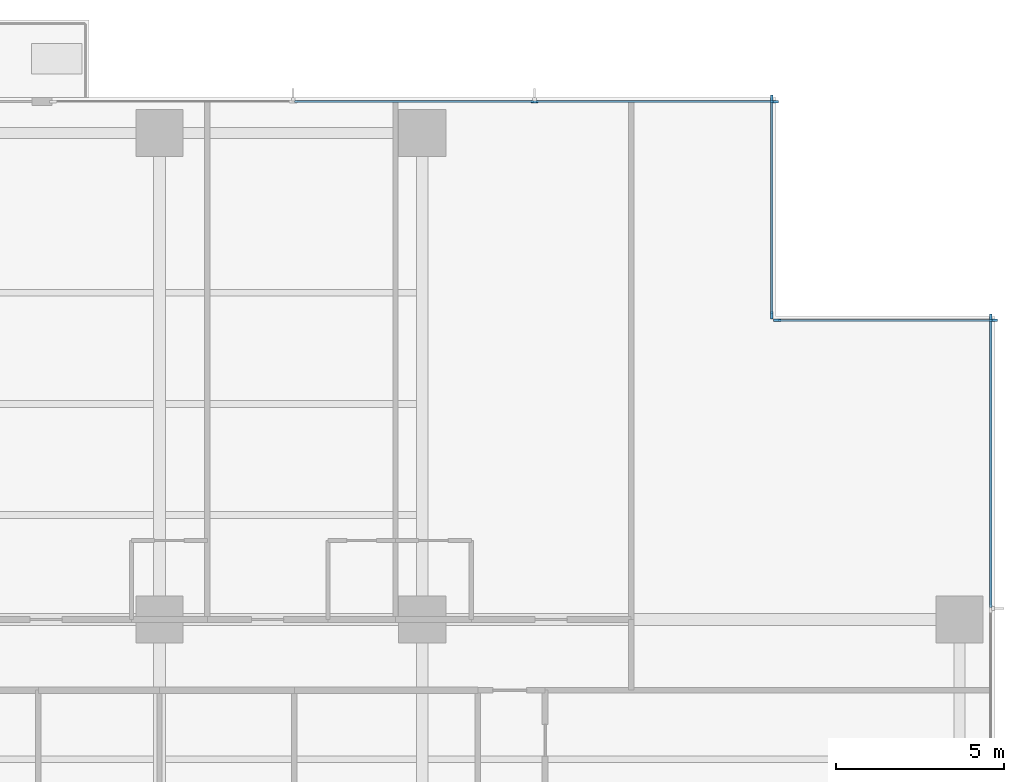
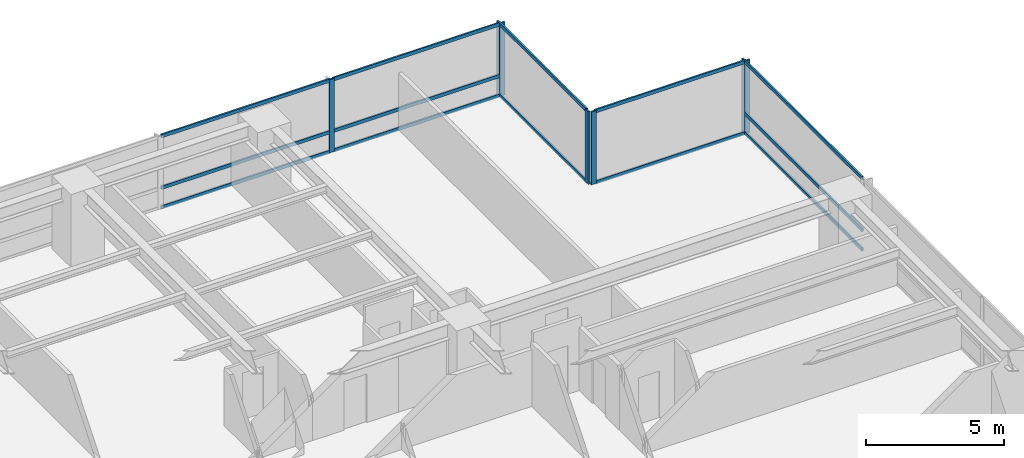
# One storey, part 5 of 17: 20 members, 4 elements without a shape of their own.
"""IFC4 building model written with IfcOpenShell, lengths in metres."""

from ifc_helpers import new_model, si_unit, direction, frame, origin, origin_2d, place, context, subcontext, project, spatial, rectangle, extrude, material, layer, layer_set, material_profile, profile_set, type_object, element, aggregate, save


model = new_model("IFC4")

# Units and contexts
model_context = context("Model", 3, precision=1e-05, world=origin(), true_north=direction((0.0, 1.0)))
body_context = subcontext(model_context, "Body", "Model", "MODEL_VIEW")
ifc_project = project(units=[si_unit("LENGTHUNIT", "METRE"), si_unit("AREAUNIT", "SQUARE_METRE"), si_unit("VOLUMEUNIT", "CUBIC_METRE"), si_unit("PLANEANGLEUNIT", "RADIAN"), si_unit("MASSUNIT", "GRAM", prefix="KILO")], contexts=[model_context])

# Site, building, storey
site_placement = place(None, origin())
site = spatial("IfcSite", under=ifc_project, at=site_placement, CompositionType="ELEMENT")
building_placement = place(site_placement, origin())
building = spatial("IfcBuilding", under=site, at=building_placement, Name="Qalmaran Belvedere Hotel", CompositionType="ELEMENT")
storey_placement = place(building_placement, frame((0.0, 0.0, 61.39990234375)))
storey = spatial("IfcBuildingStorey", under=building, at=storey_placement, Name="L15", CompositionType="ELEMENT", Elevation=61.39990234375)

# Curtain wall, member
ifc_material = material(Name="Anodised Bronze Aluminium", Category="aluminium")
ifc_layer = layer(ifc_material, 0.2099609375, Name="Anodised Bronze Aluminium")
ifc_layer_set = layer_set([ifc_layer], Name="Anodised Bronze Aluminium")
curtain_wall_type = type_object("IfcCurtainWallType", Name="CW2-TOWER-LOWER", PredefinedType="NOTDEFINED", material=ifc_layer_set)
curtain_wall_1_placement = place(storey_placement, origin())
curtain_wall_1 = element("IfcCurtainWall", 1, at=curtain_wall_1_placement, inside=storey, type_object=curtain_wall_type, Name="L15 Curtain Wall CW2", PredefinedType="NOTDEFINED")
ifc_material_profile_1 = material_profile(ifc_material, rectangle(XDim=0.074951171875, YDim=0.219970703125, at=origin_2d()), Name="CWM75X220")
ifc_profile_set_1 = profile_set([ifc_material_profile_1], Name="Anodised Bronze Aluminium")
member_type_1 = type_object("IfcMemberType", Name="CWM-75X220", PredefinedType="MULLION", material=ifc_profile_set_1)
member_1_placement = place(storey_placement, frame((61.679931640625, 41.96240234375, 0.0), z_axis=(0.0, 0.0, 1.0), x_axis=(-1.0, 0.0, 0.0)))
member_1 = element("IfcMember", 2, at=member_1_placement, type_object=member_type_1, Name="CW2 mullion 5", PredefinedType="MULLION", context=body_context, shape_type="SweptSolid", body=[
    extrude(rectangle(XDim=0.074951171875, YDim=0.219970703125, at=origin_2d()), origin(), (0.0, 0.0, 1.0), 3.22021484375),
])

# Curtain wall, members
curtain_wall_2_placement = place(storey_placement, origin())
curtain_wall_2 = element("IfcCurtainWall", 3, at=curtain_wall_2_placement, inside=storey, type_object=curtain_wall_type, Name="L15 Curtain Wall CW2", PredefinedType="NOTDEFINED")
member_2_placement = place(storey_placement, frame((61.762451171875, 41.8798828125, 0.0), z_axis=(0.0, 0.0, 1.0), x_axis=(0.0, -1.0, 0.0)))
member_2 = element("IfcMember", 4, at=member_2_placement, type_object=member_type_1, Name="CW2 mullion 1", PredefinedType="MULLION", context=body_context, shape_type="SweptSolid", body=[
    extrude(rectangle(XDim=0.074951171875, YDim=0.219970703125, at=origin_2d()), origin(), (0.0, 0.0, 1.0), 3.22021484375),
])
member_3_placement = place(storey_placement, frame((55.33740234375, 41.8798828125, 0.0), z_axis=(0.0, 0.0, 1.0), x_axis=(0.0, -1.0, 0.0)))
member_3 = element("IfcMember", 5, at=member_3_placement, type_object=member_type_1, Name="CW2 mullion 2", PredefinedType="MULLION", context=body_context, shape_type="SweptSolid", body=[
    extrude(rectangle(XDim=0.074951171875, YDim=0.219970703125, at=origin_2d()), origin(), (0.0, 0.0, 1.0), 3.22021484375),
])

curtain_wall_3_placement = place(storey_placement, origin())
curtain_wall_3 = element("IfcCurtainWall", 6, at=curtain_wall_3_placement, inside=storey, type_object=curtain_wall_type, Name="L15 Curtain Wall CW2", PredefinedType="NOTDEFINED")
member_4_placement = place(storey_placement, frame((55.179931640625, 42.03759765625, 0.0), z_axis=(0.0, 0.0, 1.0), x_axis=(-1.0, 0.0, 0.0)))
member_4 = element("IfcMember", 7, at=member_4_placement, type_object=member_type_1, Name="CW2 mullion 1", PredefinedType="MULLION", context=body_context, shape_type="SweptSolid", body=[
    extrude(rectangle(XDim=0.074951171875, YDim=0.219970703125, at=origin_2d()), origin(), (0.0, 0.0, 1.0), 3.22021484375),
])
member_5_placement = place(storey_placement, frame((55.179931640625, 48.46240234375, 0.0), z_axis=(0.0, 0.0, 1.0), x_axis=(-1.0, 0.0, 0.0)))
member_5 = element("IfcMember", 8, at=member_5_placement, type_object=member_type_1, Name="CW2 mullion 2", PredefinedType="MULLION", context=body_context, shape_type="SweptSolid", body=[
    extrude(rectangle(XDim=0.074951171875, YDim=0.219970703125, at=origin_2d()), origin(), (0.0, 0.0, 1.0), 3.22021484375),
])

curtain_wall_4_placement = place(storey_placement, origin())
curtain_wall_4 = element("IfcCurtainWall", 9, at=curtain_wall_4_placement, inside=storey, type_object=curtain_wall_type, Name="L15 Curtain Wall CW2", PredefinedType="NOTDEFINED")
member_6_placement = place(storey_placement, frame((55.262451171875, 48.3798828125, 0.0), z_axis=(0.0, 0.0, 1.0), x_axis=(0.0, -1.0, 0.0)))
member_6 = element("IfcMember", 10, at=member_6_placement, type_object=member_type_1, Name="CW2 mullion 1", PredefinedType="MULLION", context=body_context, shape_type="SweptSolid", body=[
    extrude(rectangle(XDim=0.074951171875, YDim=0.219970703125, at=origin_2d()), origin(), (0.0, 0.0, 1.0), 3.22021484375),
])
member_7_placement = place(storey_placement, frame((48.13330078125, 48.3798828125, 0.0), z_axis=(0.0, 0.0, 1.0), x_axis=(0.0, -1.0, 0.0)))
member_7 = element("IfcMember", 11, at=member_7_placement, type_object=member_type_1, Name="CW2 mullion 2", PredefinedType="MULLION", context=body_context, shape_type="SweptSolid", body=[
    extrude(rectangle(XDim=0.074951171875, YDim=0.219970703125, at=origin_2d()), origin(), (0.0, 0.0, 1.0), 3.22021484375),
])

# Member
ifc_material_profile_2 = material_profile(ifc_material, rectangle(XDim=0.070068359375, YDim=0.14990234375, at=origin_2d()), Name="CWT70X150")
ifc_profile_set_2 = profile_set([ifc_material_profile_2], Name="Anodised Bronze Aluminium")
member_type_2 = type_object("IfcMemberType", Name="CWT-70X150", PredefinedType="USERDEFINED", material=ifc_profile_set_2)
member_8_placement = place(storey_placement, frame((61.679931640625, 33.362548828125, 0.03515625), z_axis=(0.0, 1.0, 0.0), x_axis=(-1.0, 0.0, 0.0)))
member_8 = element("IfcMember", 12, at=member_8_placement, type_object=member_type_2, Name="CW2 transom 4.1", ObjectType="TRANSOM", PredefinedType="USERDEFINED", context=body_context, shape_type="SweptSolid", body=[
    extrude(rectangle(XDim=0.070068359375, YDim=0.14990234375, at=origin_2d()), origin(), (0.0, 0.0, 1.0), 8.5625),
])

member_9_placement = place(storey_placement, frame((61.679931640625, 33.362548828125, 0.901611328125), z_axis=(0.0, 1.0, 0.0), x_axis=(-1.0, 0.0, 0.0)))
member_9 = element("IfcMember", 13, at=member_9_placement, type_object=member_type_2, Name="CW2 transom 4.2", ObjectType="TRANSOM", PredefinedType="USERDEFINED", context=body_context, shape_type="SweptSolid", body=[
    extrude(rectangle(XDim=0.070068359375, YDim=0.14990234375, at=origin_2d()), origin(), (0.0, 0.0, 1.0), 8.5625),
])

member_10_placement = place(storey_placement, frame((61.679931640625, 33.362548828125, 3.18505859375), z_axis=(0.0, 1.0, 0.0), x_axis=(-1.0, 0.0, 0.0)))
member_10 = element("IfcMember", 14, at=member_10_placement, type_object=member_type_2, Name="CW2 transom 4.3", ObjectType="TRANSOM", PredefinedType="USERDEFINED", context=body_context, shape_type="SweptSolid", body=[
    extrude(rectangle(XDim=0.070068359375, YDim=0.14990234375, at=origin_2d()), origin(), (0.0, 0.0, 1.0), 8.5625),
])

aggregate(curtain_wall_1, [member_1, member_8, member_9, member_10])

member_11_placement = place(storey_placement, frame((61.72509765625, 41.8798828125, 0.03515625), z_axis=(-1.0, 0.0, 0.0), x_axis=(0.0, -1.0, 0.0)))
member_11 = element("IfcMember", 15, at=member_11_placement, type_object=member_type_2, Name="CW2 transom 1.1", ObjectType="TRANSOM", PredefinedType="USERDEFINED", context=body_context, shape_type="SweptSolid", body=[
    extrude(rectangle(XDim=0.070068359375, YDim=0.14990234375, at=origin_2d()), origin(), (0.0, 0.0, 1.0), 6.35009765625),
])

member_12_placement = place(storey_placement, frame((61.72509765625, 41.8798828125, 3.18505859375), z_axis=(-1.0, 0.0, 0.0), x_axis=(0.0, -1.0, 0.0)))
member_12 = element("IfcMember", 16, at=member_12_placement, type_object=member_type_2, Name="CW2 transom 1.2", ObjectType="TRANSOM", PredefinedType="USERDEFINED", context=body_context, shape_type="SweptSolid", body=[
    extrude(rectangle(XDim=0.070068359375, YDim=0.14990234375, at=origin_2d()), origin(), (0.0, 0.0, 1.0), 6.35009765625),
])

aggregate(curtain_wall_2, [member_2, member_3, member_11, member_12])

member_13_placement = place(storey_placement, frame((55.179931640625, 42.074951171875, 0.03515625), z_axis=(0.0, 1.0, 0.0), x_axis=(-1.0, 0.0, 0.0)))
member_13 = element("IfcMember", 17, at=member_13_placement, type_object=member_type_2, Name="CW2 transom 1.1", ObjectType="TRANSOM", PredefinedType="USERDEFINED", context=body_context, shape_type="SweptSolid", body=[
    extrude(rectangle(XDim=0.070068359375, YDim=0.14990234375, at=origin_2d()), origin(), (0.0, 0.0, 1.0), 6.35009765625),
])

member_14_placement = place(storey_placement, frame((55.179931640625, 42.074951171875, 3.18505859375), z_axis=(0.0, 1.0, 0.0), x_axis=(-1.0, 0.0, 0.0)))
member_14 = element("IfcMember", 18, at=member_14_placement, type_object=member_type_2, Name="CW2 transom 1.2", ObjectType="TRANSOM", PredefinedType="USERDEFINED", context=body_context, shape_type="SweptSolid", body=[
    extrude(rectangle(XDim=0.070068359375, YDim=0.14990234375, at=origin_2d()), origin(), (0.0, 0.0, 1.0), 6.35009765625),
])

aggregate(curtain_wall_3, [member_4, member_5, member_13, member_14])

member_15_placement = place(storey_placement, frame((55.22509765625, 48.3798828125, 0.03515625), z_axis=(-1.0, 0.0, 0.0), x_axis=(0.0, -1.0, 0.0)))
member_15 = element("IfcMember", 19, at=member_15_placement, type_object=member_type_2, Name="CW2 transom 1.1", ObjectType="TRANSOM", PredefinedType="USERDEFINED", context=body_context, shape_type="SweptSolid", body=[
    extrude(rectangle(XDim=0.070068359375, YDim=0.14990234375, at=origin_2d()), origin(), (0.0, 0.0, 1.0), 7.05419921875),
])

member_16_placement = place(storey_placement, frame((55.22509765625, 48.3798828125, 0.901611328125), z_axis=(-1.0, 0.0, 0.0), x_axis=(0.0, -1.0, 0.0)))
member_16 = element("IfcMember", 20, at=member_16_placement, type_object=member_type_2, Name="CW2 transom 1.2", ObjectType="TRANSOM", PredefinedType="USERDEFINED", context=body_context, shape_type="SweptSolid", body=[
    extrude(rectangle(XDim=0.070068359375, YDim=0.14990234375, at=origin_2d()), origin(), (0.0, 0.0, 1.0), 7.05419921875),
])

member_17_placement = place(storey_placement, frame((55.22509765625, 48.3798828125, 3.18505859375), z_axis=(-1.0, 0.0, 0.0), x_axis=(0.0, -1.0, 0.0)))
member_17 = element("IfcMember", 21, at=member_17_placement, type_object=member_type_2, Name="CW2 transom 1.3", ObjectType="TRANSOM", PredefinedType="USERDEFINED", context=body_context, shape_type="SweptSolid", body=[
    extrude(rectangle(XDim=0.070068359375, YDim=0.14990234375, at=origin_2d()), origin(), (0.0, 0.0, 1.0), 7.05419921875),
])

member_18_placement = place(storey_placement, frame((48.095947265625, 48.3798828125, 0.03515625), z_axis=(-1.0, 0.0, 0.0), x_axis=(0.0, -1.0, 0.0)))
member_18 = element("IfcMember", 22, at=member_18_placement, type_object=member_type_2, Name="CW2 transom 2.1", ObjectType="TRANSOM", PredefinedType="USERDEFINED", context=body_context, shape_type="SweptSolid", body=[
    extrude(rectangle(XDim=0.070068359375, YDim=0.14990234375, at=origin_2d()), origin(), (0.0, 0.0, 1.0), 7.091796875),
])

member_19_placement = place(storey_placement, frame((48.095947265625, 48.3798828125, 0.901611328125), z_axis=(-1.0, 0.0, 0.0), x_axis=(0.0, -1.0, 0.0)))
member_19 = element("IfcMember", 23, at=member_19_placement, type_object=member_type_2, Name="CW2 transom 2.2", ObjectType="TRANSOM", PredefinedType="USERDEFINED", context=body_context, shape_type="SweptSolid", body=[
    extrude(rectangle(XDim=0.070068359375, YDim=0.14990234375, at=origin_2d()), origin(), (0.0, 0.0, 1.0), 7.091796875),
])

member_20_placement = place(storey_placement, frame((48.095947265625, 48.3798828125, 3.18505859375), z_axis=(-1.0, 0.0, 0.0), x_axis=(0.0, -1.0, 0.0)))
member_20 = element("IfcMember", 24, at=member_20_placement, type_object=member_type_2, Name="CW2 transom 2.3", ObjectType="TRANSOM", PredefinedType="USERDEFINED", context=body_context, shape_type="SweptSolid", body=[
    extrude(rectangle(XDim=0.070068359375, YDim=0.14990234375, at=origin_2d()), origin(), (0.0, 0.0, 1.0), 7.091796875),
])

aggregate(curtain_wall_4, [member_6, member_7, member_15, member_16, member_17, member_18, member_19, member_20])

save(model, "model.ifc")
